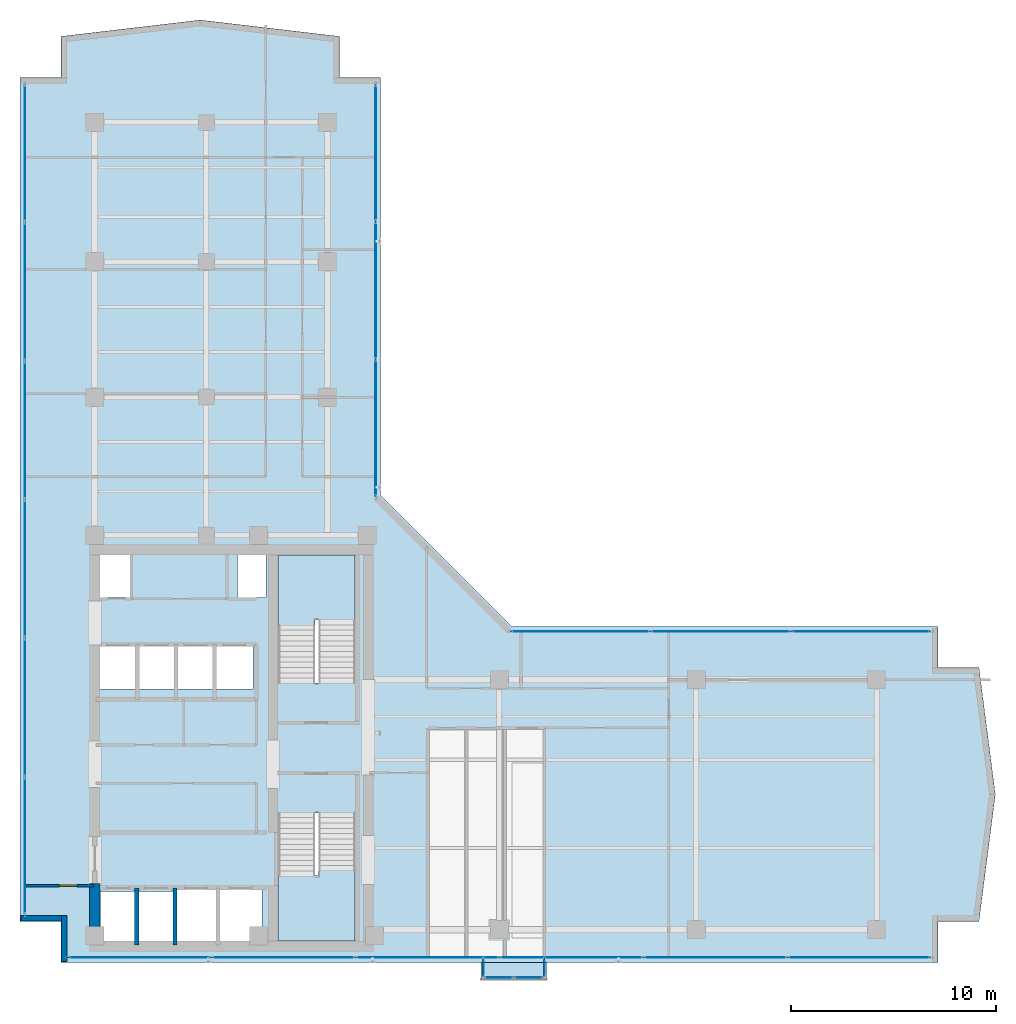
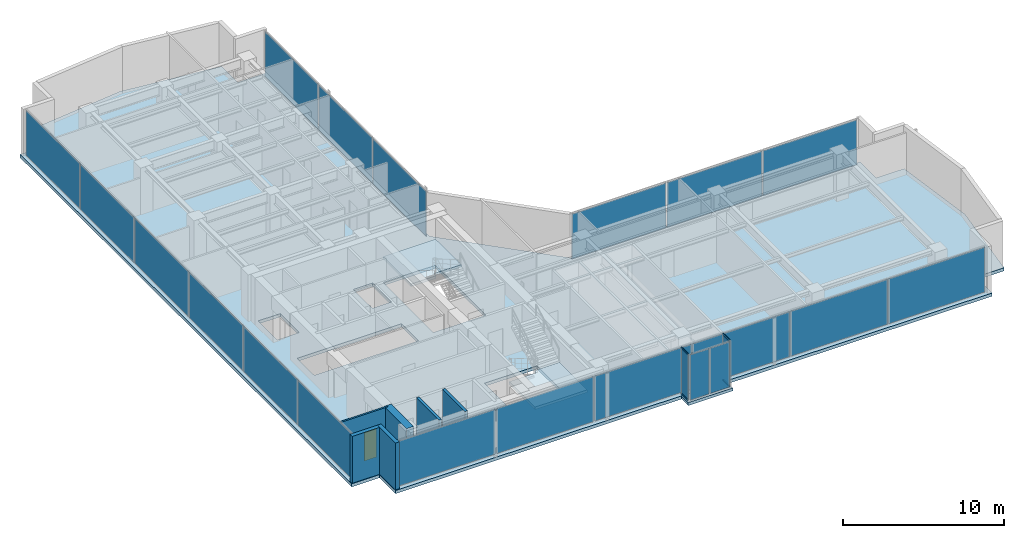
# One storey, part 16 of 22: 22 plates, 6 walls, 4 members, 4 slabs, 1 door, 1 opening, 9 elements without a shape of their own.
"""IFC4 building model written with IfcOpenShell, lengths in metres."""

from ifc_helpers import new_model, si_unit, direction, frame, frame_2d, origin, origin_with_axes, origin_2d, place, context, subcontext, project, spatial, polyline, rectangle, hollow_rectangle, outline, extrude, source, transform, mapped, material, layer, layer_set, material_profile, profile_set, type_object, element, fill, aggregate, save


model = new_model("IFC4")

# Units and contexts
model_context = context("Model", 3, precision=1e-05, world=origin(), true_north=direction((0.0, 1.0)))
body_context = subcontext(model_context, "Body", "Model", "MODEL_VIEW")
ifc_project = project(units=[si_unit("LENGTHUNIT", "METRE"), si_unit("AREAUNIT", "SQUARE_METRE"), si_unit("VOLUMEUNIT", "CUBIC_METRE"), si_unit("PLANEANGLEUNIT", "RADIAN"), si_unit("MASSUNIT", "GRAM", prefix="KILO")], contexts=[model_context])

# Site, building, storey
site_placement = place(None, origin())
site = spatial("IfcSite", under=ifc_project, at=site_placement, CompositionType="ELEMENT")
building_placement = place(site_placement, origin())
building = spatial("IfcBuilding", under=site, at=building_placement, Name="Kolvaren Waterfront Exchange", CompositionType="ELEMENT")
storey_placement = place(building_placement, frame((0.0, 0.0, 262.800048828125)))
storey = spatial("IfcBuildingStorey", under=building, at=storey_placement, Name="L67", CompositionType="ELEMENT", Elevation=262.800048828125)

# Curtain wall, members
ifc_material_1 = material(Name="Anodised bronze aluminium 6063-T6", Category="aluminium")
ifc_layer_1 = layer(ifc_material_1, 0.219970703125, Name="Anodised bronze aluminium 6063-T6")
ifc_layer_set_1 = layer_set([ifc_layer_1], Name="Anodised bronze aluminium 6063-T6")
curtain_wall_type_1 = type_object("IfcCurtainWallType", Name="ARC-CW-SYS3", PredefinedType="USERDEFINED", material=ifc_layer_set_1)
curtain_wall_1_placement = place(storey_placement, origin())
curtain_wall_1 = element("IfcCurtainWall", 1, at=curtain_wall_1_placement, inside=storey, type_object=curtain_wall_type_1, Name="L67 stick curtain wall CW3 (CW-L67-BOX-W)", ObjectType="STICK CURTAIN WALL", PredefinedType="USERDEFINED")
ifc_material_profile = material_profile(ifc_material_1, hollow_rectangle(XDim=0.06494140625, YDim=0.1298828125, WallThickness=0.00390625, at=origin_2d()), Name="ALU-TRN-130x65x4")
ifc_profile_set = profile_set([ifc_material_profile], Name="Anodised bronze aluminium 6063-T6")
member_type = type_object("IfcMemberType", Name="ARC-CWT-130", PredefinedType="USERDEFINED", material=ifc_profile_set)
shared_shape_1 = source(origin_with_axes(), body_context, "Body", "SweptSolid", [
    extrude(hollow_rectangle(XDim=0.06494140625, YDim=0.1298828125, WallThickness=0.00390625, at=origin_2d()), origin(), (0.0, 0.0, 1.0), 0.829833984375),
])
member_1_placement = place(storey_placement, frame((26.409912109375, 3.764892578125, 0.032470703125), z_axis=(0.0, -1.0, 0.0), x_axis=(1.0, 0.0, 0.0)))
member_1 = element("IfcMember", 2, at=member_1_placement, type_object=member_type, Name="CW3 transom 1.1", ObjectType="TRANSOM", PredefinedType="USERDEFINED", context=body_context, shape_type="MappedRepresentation", body=[
    mapped(shared_shape_1, transform((0.0, 0.0, 0.0), x_axis=(1.0, 0.0, 0.0), y_axis=(0.0, 1.0, 0.0), z_axis=(0.0, 0.0, 1.0), scale=1.0)),
])
member_2_placement = place(storey_placement, frame((26.409912109375, 3.764892578125, 3.52734375), z_axis=(0.0, -1.0, 0.0), x_axis=(1.0, 0.0, 0.0)))
member_2 = element("IfcMember", 3, at=member_2_placement, type_object=member_type, Name="CW3 transom 1.2", ObjectType="TRANSOM", PredefinedType="USERDEFINED", context=body_context, shape_type="MappedRepresentation", body=[
    mapped(shared_shape_1, transform((0.0, 0.0, 0.0), x_axis=(1.0, 0.0, 0.0), y_axis=(0.0, 1.0, 0.0), z_axis=(0.0, 0.0, 1.0), scale=1.0)),
])

curtain_wall_2_placement = place(storey_placement, origin())
curtain_wall_2 = element("IfcCurtainWall", 4, at=curtain_wall_2_placement, inside=storey, type_object=curtain_wall_type_1, Name="L67 stick curtain wall CW3 (CW-L67-BOX-E)", ObjectType="STICK CURTAIN WALL", PredefinedType="USERDEFINED")
member_3_placement = place(storey_placement, frame((29.389892578125, 2.93505859375, 0.032470703125), z_axis=(0.0, 1.0, 0.0), x_axis=(-1.0, 0.0, 0.0)))
member_3 = element("IfcMember", 5, at=member_3_placement, type_object=member_type, Name="CW3 transom 1.1", ObjectType="TRANSOM", PredefinedType="USERDEFINED", context=body_context, shape_type="MappedRepresentation", body=[
    mapped(shared_shape_1, transform((0.0, 0.0, 0.0), x_axis=(1.0, 0.0, 0.0), y_axis=(0.0, 1.0, 0.0), z_axis=(0.0, 0.0, 1.0), scale=1.0)),
])
member_4_placement = place(storey_placement, frame((29.389892578125, 2.93505859375, 3.52734375), z_axis=(0.0, 1.0, 0.0), x_axis=(-1.0, 0.0, 0.0)))
member_4 = element("IfcMember", 6, at=member_4_placement, type_object=member_type, Name="CW3 transom 1.2", ObjectType="TRANSOM", PredefinedType="USERDEFINED", context=body_context, shape_type="MappedRepresentation", body=[
    mapped(shared_shape_1, transform((0.0, 0.0, 0.0), x_axis=(1.0, 0.0, 0.0), y_axis=(0.0, 1.0, 0.0), z_axis=(0.0, 0.0, 1.0), scale=1.0)),
])

# Stair, slab
ifc_material_2 = material(Name="Concrete C40/50", Category="concrete")
stair_type = type_object("IfcStairType", Name="ARC-STAIR-3800", PredefinedType="HALF_TURN_STAIR", material=ifc_material_2)
stair_1_placement = place(storey_placement, origin())
stair_1 = element("IfcStair", 7, at=stair_1_placement, inside=storey, type_object=stair_type, Name="L67 Smoke-proof exit stair ST1", PredefinedType="HALF_TURN_STAIR")
ifc_layer_2 = layer(ifc_material_2, 0.199951171875, Name="Concrete C40/50")
ifc_layer_set_2 = layer_set([ifc_layer_2], Name="Concrete C40/50")
slab_type_1 = type_object("IfcSlabType", Name="STR-LANDING-200", PredefinedType="LANDING", material=ifc_layer_set_2)
slab_1_placement = place(storey_placement, frame((0.0, 0.0, 1.77587890625)))
slab_1 = element("IfcSlab", 8, at=slab_1_placement, type_object=slab_type_1, Name="ST1 landing 1", PredefinedType="LANDING", context=body_context, shape_type="SweptSolid", body=[
    extrude(outline(polyline([(16.39990234375, 7.840087890625), (16.39990234375, 4.64990234375), (20.159912109375, 4.64990234375), (20.159912109375, 8.10009765625), (18.360107421875, 8.10009765625), (18.360107421875, 7.840087890625), (16.39990234375, 7.840087890625)])), origin(), (0.0, 0.0, 1.0), 0.199951171875),
])
aggregate(stair_1, [slab_1])

stair_2_placement = place(storey_placement, origin())
stair_2 = element("IfcStair", 9, at=stair_2_placement, inside=storey, type_object=stair_type, Name="L67 Smoke-proof exit stair ST2", PredefinedType="HALF_TURN_STAIR")
slab_2_placement = place(storey_placement, frame((0.0, 0.0, 1.77587890625)))
slab_2 = element("IfcSlab", 10, at=slab_2_placement, type_object=slab_type_1, Name="ST2 landing 1", PredefinedType="LANDING", context=body_context, shape_type="SweptSolid", body=[
    extrude(outline(polyline([(20.159912109375, 20.31005859375), (20.159912109375, 23.5), (16.39990234375, 23.5), (16.39990234375, 20.050048828125), (18.199951171875, 20.050048828125), (18.199951171875, 20.31005859375), (20.159912109375, 20.31005859375)])), origin(), (0.0, 0.0, 1.0), 0.199951171875),
])
aggregate(stair_2, [slab_2])

# Slabs
ifc_layer_3 = layer(ifc_material_2, 0.239990234375, Name="Concrete C40/50")
ifc_layer_set_3 = layer_set([ifc_layer_3], Name="Concrete C40/50")
slab_type_2 = type_object("IfcSlabType", Name="STR-SLAB-240", PredefinedType="FLOOR", material=ifc_layer_set_3)
slab_3_placement = place(storey_placement, frame((0.0, 0.0, -0.239990234375)))
element("IfcSlab", 11, at=slab_3_placement, inside=storey, type_object=slab_type_2, Name="L67 structural floor slab", PredefinedType="FLOOR", context=body_context, shape_type="SweptSolid", body=[
    extrude(outline(polyline([(5.800048828125, 3.60009765625), (48.60009765625, 3.60009765625), (48.60009765625, 5.60009765625), (50.60009765625, 5.60009765625), (51.39990234375, 11.800048828125), (50.60009765625, 18.0), (48.60009765625, 18.0), (48.60009765625, 20.0), (27.800048828125, 20.0), (21.39990234375, 26.39990234375), (21.39990234375, 46.800048828125), (19.39990234375, 46.800048828125), (19.39990234375, 48.800048828125), (12.60009765625, 49.60009765625), (5.800048828125, 48.800048828125), (5.800048828125, 46.800048828125), (3.800048828125, 46.800048828125), (3.800048828125, 5.60009765625), (5.800048828125, 5.60009765625), (5.800048828125, 3.60009765625)]), holes=[polyline([(11.320068359375, 7.260009765625), (15.610107421875, 7.260009765625), (15.610107421875, 4.5400390625), (7.719970703125, 4.5400390625), (7.719970703125, 7.06005859375), (11.320068359375, 7.06005859375), (11.320068359375, 7.260009765625)]), polyline([(20.159912109375, 10.89990234375), (20.159912109375, 4.64990234375), (16.39990234375, 4.64990234375), (16.39990234375, 10.89990234375), (20.159912109375, 10.89990234375)]), polyline([(7.669921875, 19.06005859375), (15.159912109375, 19.06005859375), (15.159912109375, 16.93994140625), (7.669921875, 16.93994140625), (7.669921875, 19.06005859375)]), polyline([(16.39990234375, 17.25), (16.39990234375, 23.5), (20.159912109375, 23.5), (20.159912109375, 17.25), (16.39990234375, 17.25)]), polyline([(7.60009765625, 23.780029296875), (9.179931640625, 23.780029296875), (9.179931640625, 21.419921875), (7.60009765625, 21.419921875), (7.60009765625, 23.780029296875)]), polyline([(14.419921875, 23.780029296875), (15.800048828125, 23.780029296875), (15.800048828125, 21.419921875), (14.419921875, 21.419921875), (14.419921875, 23.780029296875)])]), origin(), (0.0, 0.0, 1.0), 0.239990234375),
])
ifc_layer_4 = layer(ifc_material_2, 0.219970703125, Name="Concrete C40/50")
ifc_layer_set_4 = layer_set([ifc_layer_4], Name="Concrete C40/50")
slab_type_3 = type_object("IfcSlabType", Name="STR-TERR-220", PredefinedType="FLOOR", material=ifc_layer_set_4)
slab_4_placement = place(storey_placement, frame((0.0, 0.0, -0.219970703125)))
element("IfcSlab", 12, at=slab_4_placement, inside=storey, type_object=slab_type_3, Name="L67 projecting bay-box floor strip", PredefinedType="FLOOR", context=body_context, shape_type="SweptSolid", body=[
    extrude(outline(polyline([(26.300048828125, 2.75), (29.5, 2.75), (29.5, 3.60009765625), (26.300048828125, 3.60009765625), (26.300048828125, 2.75)])), origin(), (0.0, 0.0, 1.0), 0.219970703125),
])

# Plate
ifc_material_3 = material(Name="Bronze tinted bay-box vision glass", Category="aluminium")
ifc_layer_5 = layer(ifc_material_3, 0.02392578125, Name="Bronze tinted bay-box vision glass")
ifc_layer_set_5 = layer_set([ifc_layer_5], Name="Bronze tinted bay-box vision glass")
plate_type_1 = type_object("IfcPlateType", Name="ARC-CWP-24", PredefinedType="CURTAIN_PANEL", material=ifc_layer_set_5)
shared_shape_2 = source(origin_with_axes(), body_context, "Body", "SweptSolid", [
    extrude(rectangle(XDim=0.830078125, YDim=0.02392578125, at=origin_2d()), origin(), (0.0, 0.0, 1.0), 3.429931640625),
])
plate_1_placement = place(storey_placement, frame((26.409912109375, 3.35009765625, 0.06494140625), z_axis=(0.0, 0.0, 1.0), x_axis=(0.0, -1.0, 0.0)))
plate_1 = element("IfcPlate", 13, at=plate_1_placement, type_object=plate_type_1, Name="CW3 panel 1.1", PredefinedType="CURTAIN_PANEL", context=body_context, shape_type="MappedRepresentation", body=[
    mapped(shared_shape_2, transform((0.0, 0.0, 0.0), x_axis=(1.0, 0.0, 0.0), y_axis=(0.0, 1.0, 0.0), z_axis=(0.0, 0.0, 1.0), scale=1.0)),
])

aggregate(curtain_wall_1, [member_1, member_2, plate_1])

plate_2_placement = place(storey_placement, frame((29.389892578125, 3.35009765625, 0.06494140625), z_axis=(0.0, 0.0, 1.0), x_axis=(0.0, 1.0, 0.0)))
plate_2 = element("IfcPlate", 14, at=plate_2_placement, type_object=plate_type_1, Name="CW3 panel 1.1", PredefinedType="CURTAIN_PANEL", context=body_context, shape_type="MappedRepresentation", body=[
    mapped(shared_shape_2, transform((0.0, 0.0, 0.0), x_axis=(1.0, 0.0, 0.0), y_axis=(0.0, 1.0, 0.0), z_axis=(0.0, 0.0, 1.0), scale=1.0)),
])

aggregate(curtain_wall_2, [member_3, member_4, plate_2])

# Curtain wall, plates
curtain_wall_3_placement = place(storey_placement, origin())
curtain_wall_3 = element("IfcCurtainWall", 15, at=curtain_wall_3_placement, inside=storey, type_object=curtain_wall_type_1, Name="L67 stick curtain wall CW3 (CW-L67-BOX)", ObjectType="STICK CURTAIN WALL", PredefinedType="USERDEFINED")
shared_shape_3 = source(origin_with_axes(), body_context, "Body", "SweptSolid", [
    extrude(rectangle(XDim=1.37744140625, YDim=0.02392578125, at=origin_2d()), origin(), (0.0, 0.0, 1.0), 3.429931640625),
])
plate_3_placement = place(storey_placement, frame((27.173828125, 2.860107421875, 0.06494140625), z_axis=(0.0, 0.0, 1.0), x_axis=(1.0, 0.0, 0.0)))
plate_3 = element("IfcPlate", 16, at=plate_3_placement, type_object=plate_type_1, Name="CW3 panel 1.1", PredefinedType="CURTAIN_PANEL", context=body_context, shape_type="MappedRepresentation", body=[
    mapped(shared_shape_3, transform((0.0, 0.0, 0.0), x_axis=(1.0, 0.0, 0.0), y_axis=(0.0, 1.0, 0.0), z_axis=(0.0, 0.0, 1.0), scale=1.0)),
])
plate_4_placement = place(storey_placement, frame((28.626220703125, 2.860107421875, 0.06494140625), z_axis=(0.0, 0.0, 1.0), x_axis=(1.0, 0.0, 0.0)))
plate_4 = element("IfcPlate", 17, at=plate_4_placement, type_object=plate_type_1, Name="CW3 panel 2.1", PredefinedType="CURTAIN_PANEL", context=body_context, shape_type="MappedRepresentation", body=[
    mapped(shared_shape_3, transform((0.0, 0.0, 0.0), x_axis=(1.0, 0.0, 0.0), y_axis=(0.0, 1.0, 0.0), z_axis=(0.0, 0.0, 1.0), scale=1.0)),
])
aggregate(curtain_wall_3, [plate_3, plate_4])

ifc_material_4 = material(Name="Anodised aluminium 6063-T6", Category="aluminium")
ifc_layer_6 = layer(ifc_material_4, 0.219970703125, Name="Anodised aluminium 6063-T6")
ifc_layer_set_6 = layer_set([ifc_layer_6], Name="Anodised aluminium 6063-T6")
curtain_wall_type_2 = type_object("IfcCurtainWallType", Name="ARC-CW-SYS2", PredefinedType="USERDEFINED", material=ifc_layer_set_6)
curtain_wall_4_placement = place(storey_placement, origin())
curtain_wall_4 = element("IfcCurtainWall", 18, at=curtain_wall_4_placement, inside=storey, type_object=curtain_wall_type_2, Name="L67 stick curtain wall CW2 (CW-L67-W)", ObjectType="STICK CURTAIN WALL", PredefinedType="USERDEFINED")
ifc_material_5 = material(Name="Acoustic laminated vision glass", Category="glass")
ifc_layer_7 = layer(ifc_material_5, 0.031982421875, Name="Acoustic laminated vision glass")
ifc_layer_set_7 = layer_set([ifc_layer_7], Name="Acoustic laminated vision glass")
plate_type_2 = type_object("IfcPlateType", Name="ARC-CWP-32", PredefinedType="CURTAIN_PANEL", material=ifc_layer_set_7)
shared_shape_4 = source(origin_with_axes(), body_context, "Body", "SweptSolid", [
    extrude(rectangle(XDim=6.646728515625, YDim=0.031982421875, at=origin_2d()), origin(), (0.0, 0.0, 1.0), 3.409912109375),
])
plate_5_placement = place(storey_placement, frame((4.0400390625, 9.30322265625, 0.0751953125), z_axis=(0.0, 0.0, 1.0), x_axis=(0.0, 1.0, 0.0)))
plate_5 = element("IfcPlate", 19, at=plate_5_placement, type_object=plate_type_2, Name="CW2 panel 1.1", PredefinedType="CURTAIN_PANEL", context=body_context, shape_type="MappedRepresentation", body=[
    mapped(shared_shape_4, transform((0.0, 0.0, 0.0), x_axis=(1.0, 0.0, 0.0), y_axis=(0.0, 1.0, 0.0), z_axis=(0.0, 0.0, 1.0), scale=1.0)),
])
plate_6_placement = place(storey_placement, frame((4.0400390625, 43.0966796875, 0.0751953125), z_axis=(0.0, 0.0, 1.0), x_axis=(0.0, 1.0, 0.0)))
plate_6 = element("IfcPlate", 20, at=plate_6_placement, type_object=plate_type_2, Name="CW2 panel 6.1", PredefinedType="CURTAIN_PANEL", context=body_context, shape_type="MappedRepresentation", body=[
    mapped(shared_shape_4, transform((0.0, 0.0, 0.0), x_axis=(1.0, 0.0, 0.0), y_axis=(0.0, 1.0, 0.0), z_axis=(0.0, 0.0, 1.0), scale=1.0)),
])
shared_shape_5 = source(origin_with_axes(), body_context, "Body", "SweptSolid", [
    extrude(rectangle(XDim=6.686767578125, YDim=0.031982421875, at=origin_2d()), origin(), (0.0, 0.0, 1.0), 3.409912109375),
])
plate_7_placement = place(storey_placement, frame((4.0400390625, 16.050048828125, 0.0751953125), z_axis=(0.0, 0.0, 1.0), x_axis=(0.0, 1.0, 0.0)))
plate_7 = element("IfcPlate", 21, at=plate_7_placement, type_object=plate_type_2, Name="CW2 panel 2.1", PredefinedType="CURTAIN_PANEL", context=body_context, shape_type="MappedRepresentation", body=[
    mapped(shared_shape_5, transform((0.0, 0.0, 0.0), x_axis=(1.0, 0.0, 0.0), y_axis=(0.0, 1.0, 0.0), z_axis=(0.0, 0.0, 1.0), scale=1.0)),
])
plate_8_placement = place(storey_placement, frame((4.0400390625, 22.816650390625, 0.0751953125), z_axis=(0.0, 0.0, 1.0), x_axis=(0.0, 1.0, 0.0)))
plate_8 = element("IfcPlate", 22, at=plate_8_placement, type_object=plate_type_2, Name="CW2 panel 3.1", PredefinedType="CURTAIN_PANEL", context=body_context, shape_type="MappedRepresentation", body=[
    mapped(shared_shape_5, transform((0.0, 0.0, 0.0), x_axis=(1.0, 0.0, 0.0), y_axis=(0.0, 1.0, 0.0), z_axis=(0.0, 0.0, 1.0), scale=1.0)),
])
plate_9_placement = place(storey_placement, frame((4.0400390625, 29.583251953125, 0.0751953125), z_axis=(0.0, 0.0, 1.0), x_axis=(0.0, 1.0, 0.0)))
plate_9 = element("IfcPlate", 23, at=plate_9_placement, type_object=plate_type_2, Name="CW2 panel 4.1", PredefinedType="CURTAIN_PANEL", context=body_context, shape_type="MappedRepresentation", body=[
    mapped(shared_shape_5, transform((0.0, 0.0, 0.0), x_axis=(1.0, 0.0, 0.0), y_axis=(0.0, 1.0, 0.0), z_axis=(0.0, 0.0, 1.0), scale=1.0)),
])
plate_10_placement = place(storey_placement, frame((4.0400390625, 36.35009765625, 0.0751953125), z_axis=(0.0, 0.0, 1.0), x_axis=(0.0, 1.0, 0.0)))
plate_10 = element("IfcPlate", 24, at=plate_10_placement, type_object=plate_type_2, Name="CW2 panel 5.1", PredefinedType="CURTAIN_PANEL", context=body_context, shape_type="MappedRepresentation", body=[
    mapped(shared_shape_5, transform((0.0, 0.0, 0.0), x_axis=(1.0, 0.0, 0.0), y_axis=(0.0, 1.0, 0.0), z_axis=(0.0, 0.0, 1.0), scale=1.0)),
])
aggregate(curtain_wall_4, [plate_5, plate_7, plate_8, plate_9, plate_10, plate_6])

ifc_layer_8 = layer(ifc_material_1, 0.219970703125, Name="Anodised bronze aluminium 6063-T6")
ifc_layer_set_8 = layer_set([ifc_layer_8], Name="Anodised bronze aluminium 6063-T6")
curtain_wall_type_3 = type_object("IfcCurtainWallType", Name="ARC-CW-SYS1", PredefinedType="USERDEFINED", material=ifc_layer_set_8)
curtain_wall_5_placement = place(storey_placement, origin())
curtain_wall_5 = element("IfcCurtainWall", 25, at=curtain_wall_5_placement, inside=storey, type_object=curtain_wall_type_3, Name="L67 stick curtain wall CW1 (CW-L67-S)", ObjectType="STICK CURTAIN WALL", PredefinedType="USERDEFINED")
ifc_material_6 = material(Name="Bronze solar control vision glass", Category="aluminium")
ifc_layer_9 = layer(ifc_material_6, 0.028076171875, Name="Bronze solar control vision glass")
ifc_layer_set_9 = layer_set([ifc_layer_9], Name="Bronze solar control vision glass")
plate_type_3 = type_object("IfcPlateType", Name="ARC-CWP-28", PredefinedType="CURTAIN_PANEL", material=ifc_layer_set_9)
shared_shape_6 = source(origin_with_axes(), body_context, "Body", "SweptSolid", [
    extrude(rectangle(XDim=6.913330078125, YDim=0.028076171875, at=origin_2d()), origin(), (0.0, 0.0, 1.0), 3.409912109375),
])
plate_11_placement = place(storey_placement, frame((9.63671875, 3.840087890625, 0.0751953125), z_axis=(0.0, 0.0, 1.0), x_axis=(1.0, 0.0, 0.0)))
plate_11 = element("IfcPlate", 26, at=plate_11_placement, type_object=plate_type_3, Name="CW1 panel 1.1", PredefinedType="CURTAIN_PANEL", context=body_context, shape_type="MappedRepresentation", body=[
    mapped(shared_shape_6, transform((0.0, 0.0, 0.0), x_axis=(1.0, 0.0, 0.0), y_axis=(0.0, 1.0, 0.0), z_axis=(0.0, 0.0, 1.0), scale=1.0)),
])
plate_12_placement = place(storey_placement, frame((44.763427734375, 3.840087890625, 0.0751953125), z_axis=(0.0, 0.0, 1.0), x_axis=(1.0, 0.0, 0.0)))
plate_12 = element("IfcPlate", 27, at=plate_12_placement, type_object=plate_type_3, Name="CW1 panel 6.1", PredefinedType="CURTAIN_PANEL", context=body_context, shape_type="MappedRepresentation", body=[
    mapped(shared_shape_6, transform((0.0, 0.0, 0.0), x_axis=(1.0, 0.0, 0.0), y_axis=(0.0, 1.0, 0.0), z_axis=(0.0, 0.0, 1.0), scale=1.0)),
])
shared_shape_7 = source(origin_with_axes(), body_context, "Body", "SweptSolid", [
    extrude(rectangle(XDim=6.953369140625, YDim=0.028076171875, at=origin_2d()), origin(), (0.0, 0.0, 1.0), 3.409912109375),
])
plate_13_placement = place(storey_placement, frame((16.64990234375, 3.840087890625, 0.0751953125), z_axis=(0.0, 0.0, 1.0), x_axis=(1.0, 0.0, 0.0)))
plate_13 = element("IfcPlate", 28, at=plate_13_placement, type_object=plate_type_3, Name="CW1 panel 2.1", PredefinedType="CURTAIN_PANEL", context=body_context, shape_type="MappedRepresentation", body=[
    mapped(shared_shape_7, transform((0.0, 0.0, 0.0), x_axis=(1.0, 0.0, 0.0), y_axis=(0.0, 1.0, 0.0), z_axis=(0.0, 0.0, 1.0), scale=1.0)),
])
plate_14_placement = place(storey_placement, frame((23.683349609375, 3.840087890625, 0.0751953125), z_axis=(0.0, 0.0, 1.0), x_axis=(1.0, 0.0, 0.0)))
plate_14 = element("IfcPlate", 29, at=plate_14_placement, type_object=plate_type_3, Name="CW1 panel 3.1", PredefinedType="CURTAIN_PANEL", context=body_context, shape_type="MappedRepresentation", body=[
    mapped(shared_shape_7, transform((0.0, 0.0, 0.0), x_axis=(1.0, 0.0, 0.0), y_axis=(0.0, 1.0, 0.0), z_axis=(0.0, 0.0, 1.0), scale=1.0)),
])
plate_15_placement = place(storey_placement, frame((30.716552734375, 3.840087890625, 0.0751953125), z_axis=(0.0, 0.0, 1.0), x_axis=(1.0, 0.0, 0.0)))
plate_15 = element("IfcPlate", 30, at=plate_15_placement, type_object=plate_type_3, Name="CW1 panel 4.1", PredefinedType="CURTAIN_PANEL", context=body_context, shape_type="MappedRepresentation", body=[
    mapped(shared_shape_7, transform((0.0, 0.0, 0.0), x_axis=(1.0, 0.0, 0.0), y_axis=(0.0, 1.0, 0.0), z_axis=(0.0, 0.0, 1.0), scale=1.0)),
])
plate_16_placement = place(storey_placement, frame((37.75, 3.840087890625, 0.0751953125), z_axis=(0.0, 0.0, 1.0), x_axis=(1.0, 0.0, 0.0)))
plate_16 = element("IfcPlate", 31, at=plate_16_placement, type_object=plate_type_3, Name="CW1 panel 5.1", PredefinedType="CURTAIN_PANEL", context=body_context, shape_type="MappedRepresentation", body=[
    mapped(shared_shape_7, transform((0.0, 0.0, 0.0), x_axis=(1.0, 0.0, 0.0), y_axis=(0.0, 1.0, 0.0), z_axis=(0.0, 0.0, 1.0), scale=1.0)),
])
aggregate(curtain_wall_5, [plate_11, plate_13, plate_14, plate_15, plate_16, plate_12])

curtain_wall_6_placement = place(storey_placement, origin())
curtain_wall_6 = element("IfcCurtainWall", 32, at=curtain_wall_6_placement, inside=storey, type_object=curtain_wall_type_3, Name="L67 stick curtain wall CW1 (CW-L67-NE)", ObjectType="STICK CURTAIN WALL", PredefinedType="USERDEFINED")
shared_shape_8 = source(origin_with_axes(), body_context, "Body", "SweptSolid", [
    extrude(rectangle(XDim=6.61669921875, YDim=0.028076171875, at=origin_2d()), origin(), (0.0, 0.0, 1.0), 3.409912109375),
])
plate_17_placement = place(storey_placement, frame((21.159912109375, 29.67822265625, 0.0751953125), z_axis=(0.0, 0.0, 1.0), x_axis=(0.0, 1.0, 0.0)))
plate_17 = element("IfcPlate", 33, at=plate_17_placement, type_object=plate_type_3, Name="CW1 panel 1.1", PredefinedType="CURTAIN_PANEL", context=body_context, shape_type="MappedRepresentation", body=[
    mapped(shared_shape_8, transform((0.0, 0.0, 0.0), x_axis=(1.0, 0.0, 0.0), y_axis=(0.0, 1.0, 0.0), z_axis=(0.0, 0.0, 1.0), scale=1.0)),
])
plate_18_placement = place(storey_placement, frame((21.159912109375, 43.111572265625, 0.0751953125), z_axis=(0.0, 0.0, 1.0), x_axis=(0.0, 1.0, 0.0)))
plate_18 = element("IfcPlate", 34, at=plate_18_placement, type_object=plate_type_3, Name="CW1 panel 3.1", PredefinedType="CURTAIN_PANEL", context=body_context, shape_type="MappedRepresentation", body=[
    mapped(shared_shape_8, transform((0.0, 0.0, 0.0), x_axis=(1.0, 0.0, 0.0), y_axis=(0.0, 1.0, 0.0), z_axis=(0.0, 0.0, 1.0), scale=1.0)),
])
shared_shape_9 = source(origin_with_axes(), body_context, "Body", "SweptSolid", [
    extrude(rectangle(XDim=6.65673828125, YDim=0.028076171875, at=origin_2d()), origin(), (0.0, 0.0, 1.0), 3.409912109375),
])
plate_19_placement = place(storey_placement, frame((21.159912109375, 36.39501953125, 0.0751953125), z_axis=(0.0, 0.0, 1.0), x_axis=(0.0, 1.0, 0.0)))
plate_19 = element("IfcPlate", 35, at=plate_19_placement, type_object=plate_type_3, Name="CW1 panel 2.1", PredefinedType="CURTAIN_PANEL", context=body_context, shape_type="MappedRepresentation", body=[
    mapped(shared_shape_9, transform((0.0, 0.0, 0.0), x_axis=(1.0, 0.0, 0.0), y_axis=(0.0, 1.0, 0.0), z_axis=(0.0, 0.0, 1.0), scale=1.0)),
])
aggregate(curtain_wall_6, [plate_17, plate_19, plate_18])

curtain_wall_7_placement = place(storey_placement, origin())
curtain_wall_7 = element("IfcCurtainWall", 36, at=curtain_wall_7_placement, inside=storey, type_object=curtain_wall_type_3, Name="L67 stick curtain wall CW1 (CW-L67-EN)", ObjectType="STICK CURTAIN WALL", PredefinedType="USERDEFINED")
shared_shape_10 = source(origin_with_axes(), body_context, "Body", "SweptSolid", [
    extrude(rectangle(XDim=6.75, YDim=0.028076171875, at=origin_2d()), origin(), (0.0, 0.0, 1.0), 3.409912109375),
])
plate_20_placement = place(storey_placement, frame((31.14501953125, 19.760009765625, 0.0751953125), z_axis=(0.0, 0.0, 1.0), x_axis=(1.0, 0.0, 0.0)))
plate_20 = element("IfcPlate", 37, at=plate_20_placement, type_object=plate_type_3, Name="CW1 panel 1.1", PredefinedType="CURTAIN_PANEL", context=body_context, shape_type="MappedRepresentation", body=[
    mapped(shared_shape_10, transform((0.0, 0.0, 0.0), x_axis=(1.0, 0.0, 0.0), y_axis=(0.0, 1.0, 0.0), z_axis=(0.0, 0.0, 1.0), scale=1.0)),
])
plate_21_placement = place(storey_placement, frame((44.844970703125, 19.760009765625, 0.0751953125), z_axis=(0.0, 0.0, 1.0), x_axis=(1.0, 0.0, 0.0)))
plate_21 = element("IfcPlate", 38, at=plate_21_placement, type_object=plate_type_3, Name="CW1 panel 3.1", PredefinedType="CURTAIN_PANEL", context=body_context, shape_type="MappedRepresentation", body=[
    mapped(shared_shape_10, transform((0.0, 0.0, 0.0), x_axis=(1.0, 0.0, 0.0), y_axis=(0.0, 1.0, 0.0), z_axis=(0.0, 0.0, 1.0), scale=1.0)),
])
shared_shape_11 = source(origin_with_axes(), body_context, "Body", "SweptSolid", [
    extrude(rectangle(XDim=6.7900390625, YDim=0.028076171875, at=origin_2d()), origin(), (0.0, 0.0, 1.0), 3.409912109375),
])
plate_22_placement = place(storey_placement, frame((37.9951171875, 19.760009765625, 0.0751953125), z_axis=(0.0, 0.0, 1.0), x_axis=(1.0, 0.0, 0.0)))
plate_22 = element("IfcPlate", 39, at=plate_22_placement, type_object=plate_type_3, Name="CW1 panel 2.1", PredefinedType="CURTAIN_PANEL", context=body_context, shape_type="MappedRepresentation", body=[
    mapped(shared_shape_11, transform((0.0, 0.0, 0.0), x_axis=(1.0, 0.0, 0.0), y_axis=(0.0, 1.0, 0.0), z_axis=(0.0, 0.0, 1.0), scale=1.0)),
])
aggregate(curtain_wall_7, [plate_20, plate_22, plate_21])

# Walls
ifc_material_7 = material(Name="Precast concrete C40/50", Category="concrete")
ifc_layer_10 = layer(ifc_material_7, 0.280029296875, Name="Precast concrete C40/50")
ifc_layer_set_10 = layer_set([ifc_layer_10], Name="Precast concrete C40/50")
wall_type_1 = type_object("IfcWallType", Name="ARC-EXT-TERR-280", PredefinedType="SOLIDWALL", material=ifc_layer_set_10)
wall_1_placement = place(storey_placement, frame((5.9599609375, 3.659912109375, 0.0), z_axis=(0.0, 0.0, 1.0), x_axis=(0.0, 1.0, 0.0)))
element("IfcWall", 40, at=wall_1_placement, inside=storey, type_object=wall_type_1, Name="L67 notched corner spandrel pier SW-A", PredefinedType="SOLIDWALL", context=body_context, shape_type="SweptSolid", body=[
    extrude(rectangle(XDim=2.239990234375, YDim=0.280029296875, at=frame_2d((1.1201171875, 0.0))), origin(), (0.0, 0.0, 1.0), 3.56005859375),
])
wall_2_placement = place(storey_placement, frame((3.860107421875, 5.760009765625, 0.0), z_axis=(0.0, 0.0, 1.0), x_axis=(1.0, 0.0, 0.0)))
element("IfcWall", 41, at=wall_2_placement, inside=storey, type_object=wall_type_1, Name="L67 notched corner spandrel pier SW-B", PredefinedType="SOLIDWALL", context=body_context, shape_type="SweptSolid", body=[
    extrude(rectangle(XDim=1.9599609375, YDim=0.280029296875, at=frame_2d((0.97998046875, 0.0))), origin(), (0.0, 0.0, 1.0), 3.56005859375),
])

# Wall, opening, door
ifc_material_8 = material(Name="Acoustic gypsum steel stud", Category="steel")
ifc_layer_11 = layer(ifc_material_8, 0.125, Name="Acoustic gypsum steel stud")
ifc_layer_set_11 = layer_set([ifc_layer_11], Name="Acoustic gypsum steel stud")
wall_type_2 = type_object("IfcWallType", Name="ARC-PART-125", PredefinedType="PARTITIONING", material=ifc_layer_set_11)
wall_3_placement = place(storey_placement, frame((4.0400390625, 7.35009765625, 0.0), z_axis=(0.0, 0.0, 1.0), x_axis=(1.0, 0.0, 0.0)))
wall_3 = element("IfcWall", 42, at=wall_3_placement, inside=storey, type_object=wall_type_2, Name="L67 interior wall PW-L67-SWC-N", PredefinedType="PARTITIONING", context=body_context, shape_type="SweptSolid", body=[
    extrude(rectangle(XDim=3.35986328125, YDim=0.125, at=frame_2d((1.679931640625, 0.0))), origin(), (0.0, 0.0, 1.0), 3.56005859375),
])
opening_placement = place(wall_3_placement, frame((1.686767578125, 0.0, 0.0)))
opening = element("IfcOpeningElement", 43, at=opening_placement, cuts=wall_3, Name="Opening D01", PredefinedType="OPENING", context=body_context, shape_type="SweptSolid", body=[
    extrude(rectangle(XDim=0.85009765625, YDim=2.14990234375, at=frame_2d((0.425048828125, 1.074951171875))), frame((0.0, 0.072509765625, 0.0), z_axis=(0.0, -1.0, 0.0), x_axis=(1.0, 0.0, 0.0)), (0.0, 0.0, 1.0), 0.14501953125),
])
ifc_material_9 = material(Name="Oak veneer timber leaf", Category="wood")
door_type = type_object("IfcDoorType", Name="ARC-DR-900", OperationType="NOTDEFINED", PredefinedType="DOOR", material=ifc_material_9)
door_placement = place(opening_placement, origin())
door = element("IfcDoor", 44, at=door_placement, inside=storey, type_object=door_type, Name="L67 door DR-L67-SWC-D (D01)", OperationType="SINGLE_SWING_RIGHT", OverallHeight=2.14990234375, OverallWidth=0.85009765625, PredefinedType="DOOR", context=body_context, shape_type="SweptSolid", body=[
    extrude(rectangle(XDim=0.85009765625, YDim=2.14990234375, at=frame_2d((0.425048828125, 1.074951171875))), frame((0.0, 0.02490234375, 0.0), z_axis=(0.0, -1.0, 0.0), x_axis=(1.0, 0.0, 0.0)), (0.0, 0.0, 1.0), 0.050048828125),
])
fill(opening, door)

# Walls
ifc_layer_12 = layer(ifc_material_2, 0.199951171875, Name="Concrete C40/50")
ifc_layer_set_12 = layer_set([ifc_layer_12], Name="Concrete C40/50")
wall_type_3 = type_object("IfcWallType", Name="ARC-SHAFT-200", PredefinedType="PARTITIONING", material=ifc_layer_set_12)
for number, where, z_axis, x_axis, name in (
    (45, (9.5, 4.449951171875, 0.0), (0.0, 0.0, 1.0), (0.0, 1.0, 0.0), "L67 interior wall PW-L67-SH1-DIV-95"),
    (46, (11.360107421875, 4.449951171875, 0.0), (0.0, 0.0, 1.0), (0.0, 1.0, 0.0), "L67 interior wall PW-L67-SH1-DIV-113"),
):
    element("IfcWall", number, at=place(storey_placement, frame(where, z_axis=z_axis, x_axis=x_axis)), inside=storey, type_object=wall_type_3, Name=name, PredefinedType="PARTITIONING", context=body_context, shape_type="SweptSolid", body=[
        extrude(rectangle(XDim=2.800048828125, YDim=0.199951171875, at=frame_2d((1.39990234375, 0.0))), origin(), (0.0, 0.0, 1.0), 3.56005859375),
    ])
ifc_material_10 = material(Name="Concrete C50/60", Category="concrete")
ifc_layer_13 = layer(ifc_material_10, 0.5, Name="Concrete C50/60")
ifc_layer_set_13 = layer_set([ifc_layer_13], Name="Concrete C50/60")
wall_type_4 = type_object("IfcWallType", Name="STR-CWALL-500", PredefinedType="SHEAR", material=ifc_layer_set_13)
wall_4_placement = place(storey_placement, frame((7.449951171875, 4.64990234375, 0.0), z_axis=(0.0, 0.0, 1.0), x_axis=(0.0, 1.0, 0.0)))
element("IfcWall", 47, at=wall_4_placement, inside=storey, type_object=wall_type_4, Name="L67 rear-core shear wall W1", PredefinedType="SHEAR", context=body_context, shape_type="SweptSolid", body=[
    extrude(rectangle(XDim=2.800048828125, YDim=0.5, at=frame_2d((1.39990234375, 0.0))), origin(), (0.0, 0.0, 1.0), 3.56005859375),
])

save(model, "model.ifc")
